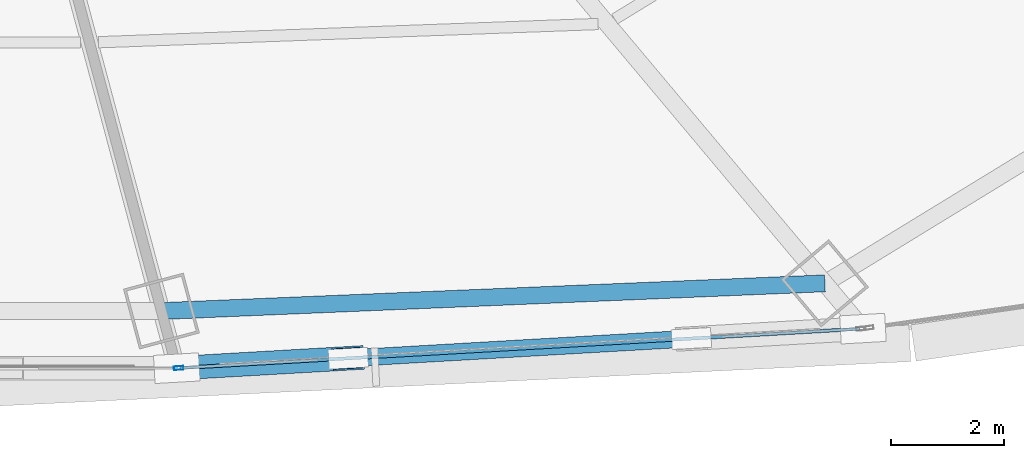
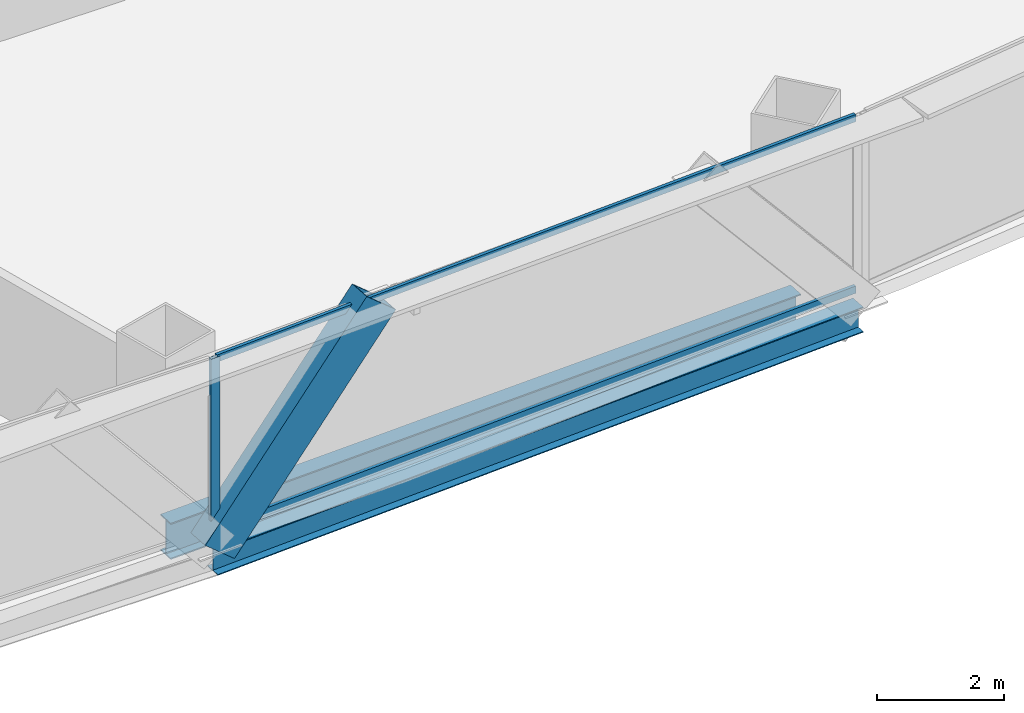
# One storey, part 10 of 41: 4 members, 2 beams, 1 element without a shape of its own.
"""IFC4 building model written with IfcOpenShell, lengths in metres."""

from ifc_helpers import new_model, si_unit, direction, frame, origin, origin_2d, place, context, subcontext, project, spatial, hollow_rectangle, i_section, extrude, source, transform, mapped, material, layer, layer_set, material_profile, profile_set, type_object, element, aggregate, save


model = new_model("IFC4")

# Units and contexts
model_context = context("Model", 3, precision=1e-05, world=origin(), true_north=direction((0.0, 1.0)))
body_context = subcontext(model_context, "Body", "Model", "MODEL_VIEW")
ifc_project = project(units=[si_unit("LENGTHUNIT", "METRE"), si_unit("AREAUNIT", "SQUARE_METRE"), si_unit("VOLUMEUNIT", "CUBIC_METRE"), si_unit("PLANEANGLEUNIT", "RADIAN"), si_unit("MASSUNIT", "GRAM", prefix="KILO"), si_unit("THERMODYNAMICTEMPERATUREUNIT", "KELVIN"), si_unit("POWERUNIT", "WATT")], contexts=[model_context])

# Site, building, storey
site_placement = place(None, origin())
site = spatial("IfcSite", under=ifc_project, at=site_placement, CompositionType="ELEMENT")
building_placement = place(site_placement, origin())
building = spatial("IfcBuilding", under=site, at=building_placement, Name="Yunzhuo Pagoda Commons", CompositionType="ELEMENT")
storey_placement = place(building_placement, frame((0.0, 0.0, 63.070068359375)))
storey = spatial("IfcBuildingStorey", under=building, at=storey_placement, Name="L16", CompositionType="ELEMENT", Elevation=63.070068359375)

# Beams
ifc_material_1 = material(Name="Structural steel Q355B", Category="steel")
ifc_material_profile_1 = material_profile(ifc_material_1, i_section(OverallWidth=0.300048828125, OverallDepth=0.699951171875, WebThickness=0.012939453125, FlangeThickness=0.02392578125, at=origin_2d()), Name="Structural steel Q355B")
ifc_profile_set_1 = profile_set([ifc_material_profile_1], Name="Structural steel Q355B")
beam_type_1 = type_object("IfcBeamType", Name="B-RG1 Beam HN 700x300x13x24", PredefinedType="BEAM", material=ifc_profile_set_1)
shared_shape_1 = source(origin(), body_context, "Body", "SweptSolid", [
    extrude(i_section(OverallWidth=0.300048828125, OverallDepth=0.699951171875, WebThickness=0.012939453125, FlangeThickness=0.02392578125, at=origin_2d()), origin(), (0.0, 0.0, 1.0), 11.7900390625),
])
beam_1_placement = place(storey_placement, frame((53.72021484375, 12.35205078125, -0.610107421875), z_axis=(0.99912739354, 0.041766631146, 0.0), x_axis=(-0.041766631146, 0.99912739354, 0.0)))
element("IfcBeam", 1, at=beam_1_placement, inside=storey, type_object=beam_type_1, Name="L16 column-ring beam 3", PredefinedType="BEAM", context=body_context, shape_type="MappedRepresentation", body=[
    mapped(shared_shape_1, transform((0.0, 0.0, 0.0), scale=1.0)),
])
ifc_material_profile_2 = material_profile(ifc_material_1, i_section(OverallWidth=0.300048828125, OverallDepth=0.488037109375, WebThickness=0.010986328125, FlangeThickness=0.01806640625, at=origin_2d()), Name="Structural steel Q355B")
ifc_profile_set_2 = profile_set([ifc_material_profile_2], Name="Structural steel Q355B")
beam_type_2 = type_object("IfcBeamType", Name="B-SP1 Beam HM 488x300x11x18", PredefinedType="BEAM", material=ifc_profile_set_2)
shared_shape_2 = source(origin(), body_context, "Body", "SweptSolid", [
    extrude(i_section(OverallWidth=0.300048828125, OverallDepth=0.488037109375, WebThickness=0.010986328125, FlangeThickness=0.01806640625, at=origin_2d()), origin(), (0.0, 0.0, 1.0), 12.203125),
])
beam_2_placement = place(storey_placement, frame((53.991943359375, 11.337890625, -0.504150390625), z_axis=(0.998343280555, 0.057538631989, 0.0), x_axis=(-0.057538631989, 0.998343280555, 0.0)))
element("IfcBeam", 2, at=beam_2_placement, inside=storey, type_object=beam_type_2, Name="L16 facade edge spandrel beam F1.3", PredefinedType="BEAM", context=body_context, shape_type="MappedRepresentation", body=[
    mapped(shared_shape_2, transform((0.0, 0.0, 0.0), scale=1.0)),
])

# Member
ifc_material_2 = material(Name="Structural steel Q420B", Category="steel")
ifc_material_profile_3 = material_profile(ifc_material_2, hollow_rectangle(XDim=0.419921875, YDim=0.719970703125, WallThickness=0.028076171875, at=origin_2d()), Name="Structural steel Q420B")
ifc_profile_set_3 = profile_set([ifc_material_profile_3], Name="Structural steel Q420B")
member_type_1 = type_object("IfcMemberType", Name="M-DL1 Brace BOX 720x420x28", PredefinedType="BRACE", material=ifc_profile_set_3)
shared_shape_3 = source(origin(), body_context, "Body", "SweptSolid", [
    extrude(hollow_rectangle(XDim=0.419921875, YDim=0.719970703125, WallThickness=0.028076171875, at=origin_2d()), origin(), (0.0, 0.0, 1.0), 4.74169921875),
])
member_1_placement = place(storey_placement, frame((53.991943359375, 11.337890625, -0.260009765625), z_axis=(0.642326047431, 0.036969146457, 0.765539372601), x_axis=(-0.057460018144, 0.998347808289, 0.0)))
element("IfcMember", 3, at=member_1_placement, inside=storey, type_object=member_type_1, Name="L16 facade diamond brace F1.3L", PredefinedType="BRACE", context=body_context, shape_type="MappedRepresentation", body=[
    mapped(shared_shape_3, transform((0.0, 0.0, 0.0), scale=1.0)),
])

# Curtain wall, members
ifc_material_3 = material(Name="Anodized aluminium 6063-T6", Category="aluminium")
ifc_layer = layer(ifc_material_3, 0.1650390625)
ifc_layer_set = layer_set([ifc_layer], Name="Anodized aluminium 6063-T6")
curtain_wall_type = type_object("IfcCurtainWallType", Name="CW-LOW Low-Zone Ribbon Curtain Wall", PredefinedType="NOTDEFINED", material=ifc_layer_set)
curtain_wall_placement = place(storey_placement, origin())
curtain_wall = element("IfcCurtainWall", 4, at=curtain_wall_placement, inside=storey, type_object=curtain_wall_type, Name="L16 curtain wall CW-L16-F1B4", PredefinedType="NOTDEFINED")
ifc_material_profile_4 = material_profile(ifc_material_3, hollow_rectangle(XDim=0.06494140625, YDim=0.1650390625, WallThickness=0.00390625, at=origin_2d()), Name="Anodized aluminium 6063-T6")
ifc_profile_set_4 = profile_set([ifc_material_profile_4], Name="Anodized aluminium 6063-T6")
member_type_2 = type_object("IfcMemberType", Name="CW-LOW-M Mullion RHS 165x65x4", PredefinedType="MULLION", material=ifc_profile_set_4)
shared_shape_4 = source(origin(), body_context, "Body", "SweptSolid", [
    extrude(hollow_rectangle(XDim=0.06494140625, YDim=0.1650390625, WallThickness=0.00390625, at=origin_2d()), origin(), (0.0, 0.0, 1.0), 3.369873046875),
])
member_2_placement = place(storey_placement, frame((54.0244140625, 11.339599609375, 0.0), z_axis=(0.0, 0.0, 1.0), x_axis=(-0.057542190557, 0.998343075454, 0.0)))
member_2 = element("IfcMember", 5, at=member_2_placement, type_object=member_type_2, Name="CW mullion 1", PredefinedType="MULLION", context=body_context, shape_type="MappedRepresentation", body=[
    mapped(shared_shape_4, transform((0.0, 0.0, 0.0), scale=1.0)),
])
ifc_material_profile_5 = material_profile(ifc_material_3, hollow_rectangle(XDim=0.06005859375, YDim=0.139892578125, WallThickness=0.00341796875, at=origin_2d()), Name="Anodized aluminium 6063-T6")
ifc_profile_set_5 = profile_set([ifc_material_profile_5], Name="Anodized aluminium 6063-T6")
member_type_3 = type_object("IfcMemberType", Name="CW-LOW-T Transom RHS 140x60x3.5", PredefinedType="USERDEFINED", material=ifc_profile_set_5)
shared_shape_5 = source(origin(), body_context, "Body", "SweptSolid", [
    extrude(hollow_rectangle(XDim=0.06005859375, YDim=0.139892578125, WallThickness=0.00341796875, at=origin_2d()), origin(), (0.0, 0.0, 1.0), 12.0732421875),
])
member_3_placement = place(storey_placement, frame((54.056884765625, 11.341552734375, 0.030029296875), z_axis=(0.998342579206, 0.057550799684, 0.0), x_axis=(-0.057550799684, 0.998342579206, 0.0)))
member_3 = element("IfcMember", 6, at=member_3_placement, type_object=member_type_3, Name="CW transom 1.1", ObjectType="TRANSOM", PredefinedType="USERDEFINED", context=body_context, shape_type="MappedRepresentation", body=[
    mapped(shared_shape_5, transform((0.0, 0.0, 0.0), scale=1.0)),
])
member_4_placement = place(storey_placement, frame((54.056884765625, 11.341552734375, 3.33984375), z_axis=(0.998342579206, 0.057550799684, 0.0), x_axis=(-0.057550799684, 0.998342579206, 0.0)))
member_4 = element("IfcMember", 7, at=member_4_placement, type_object=member_type_3, Name="CW transom 1.2", ObjectType="TRANSOM", PredefinedType="USERDEFINED", context=body_context, shape_type="MappedRepresentation", body=[
    mapped(shared_shape_5, transform((0.0, 0.0, 0.0), scale=1.0)),
])
aggregate(curtain_wall, [member_2, member_3, member_4])

save(model, "model.ifc")
